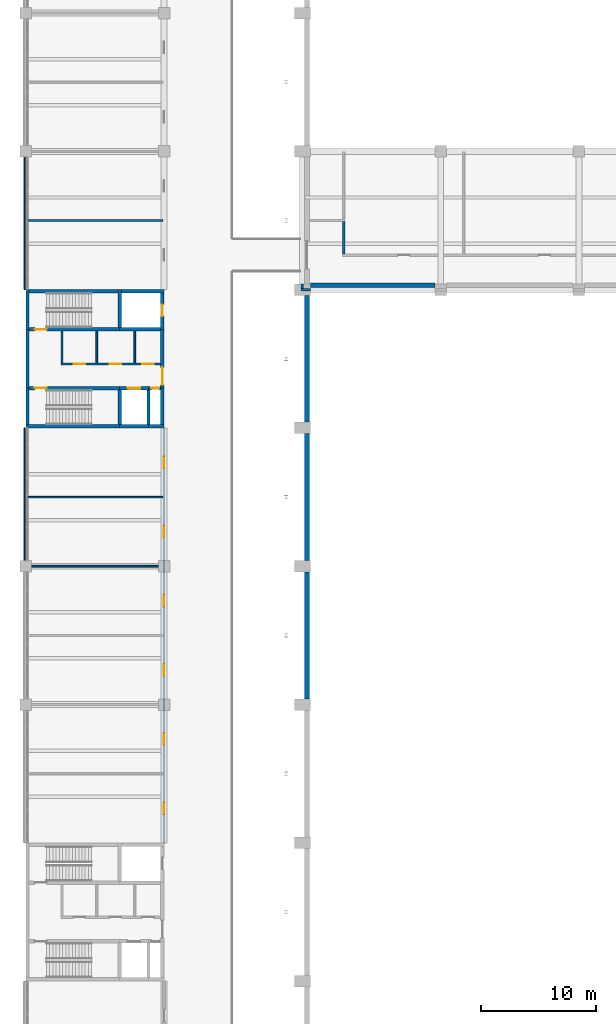
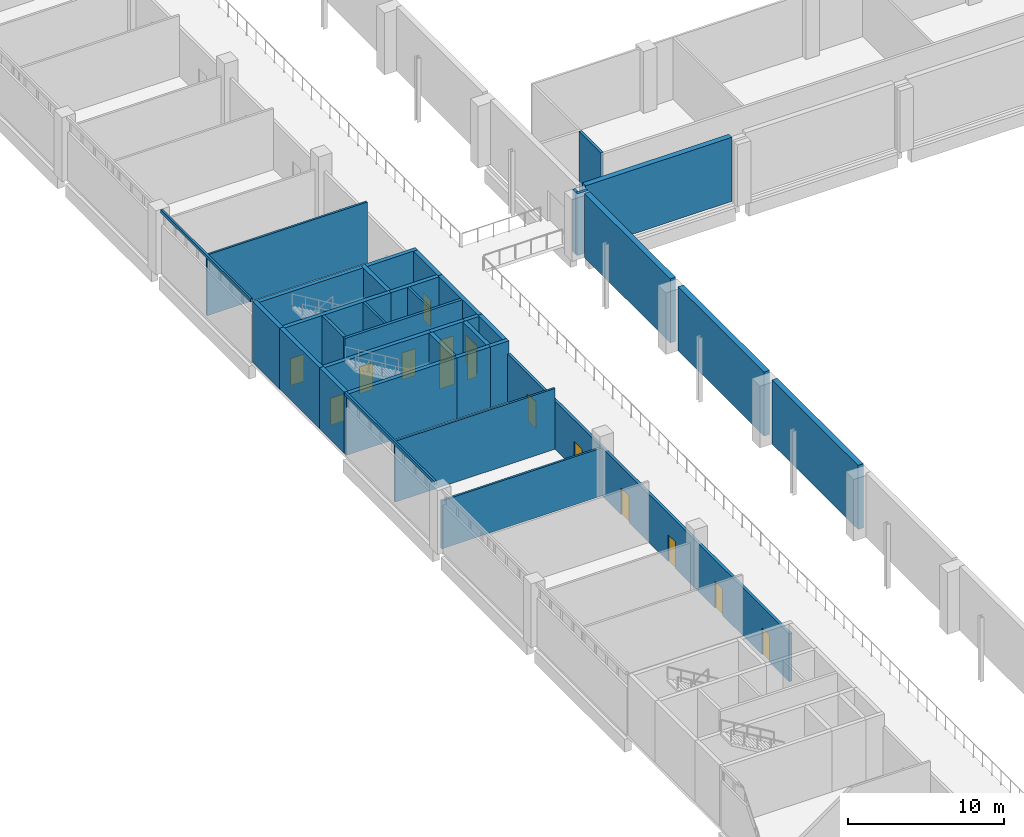
# One storey, part 53 of 69: 36 walls, 15 doors, 15 openings.
"""IFC4 building model written with IfcOpenShell, lengths in metres."""

from ifc_helpers import new_model, si_unit, direction, frame, frame_2d, origin, place, context, subcontext, project, spatial, rectangle, extrude, material, layer, layer_set, type_object, element, fill, save


model = new_model("IFC4")

# Units and contexts
model_context = context("Model", 3, precision=1e-05, world=origin(), true_north=direction((0.0, 1.0)))
body_context = subcontext(model_context, "Body", "Model", "MODEL_VIEW")
ifc_project = project(units=[si_unit("LENGTHUNIT", "METRE"), si_unit("AREAUNIT", "SQUARE_METRE"), si_unit("VOLUMEUNIT", "CUBIC_METRE"), si_unit("PLANEANGLEUNIT", "RADIAN"), si_unit("MASSUNIT", "GRAM", prefix="KILO")], contexts=[model_context])

# Site, building, storey
site_placement = place(None, origin())
site = spatial("IfcSite", under=ifc_project, at=site_placement, CompositionType="ELEMENT")
building_placement = place(site_placement, origin())
building = spatial("IfcBuilding", under=site, at=building_placement, Name="Lilac Gate Convention Centre", CompositionType="ELEMENT")
storey_placement = place(building_placement, frame((0.0, 0.0, 12.0)))
storey = spatial("IfcBuildingStorey", under=building, at=storey_placement, Name="L02", CompositionType="ELEMENT", Elevation=12.0)

# Walls
ifc_material_1 = material(Name="Concrete C30", Category="concrete")
ifc_layer_1 = layer(ifc_material_1, 0.39990234375)
ifc_layer_set_1 = layer_set([ifc_layer_1], Name="Concrete C30")
wall_type_1 = type_object("IfcWallType", Name="Hall fire wall 400", PredefinedType="SOLIDWALL", material=ifc_layer_set_1)
for number, where, z_axis, x_axis, name in (
    (1, (30.39990234375, 66.5, 0.0), (0.0, 0.0, 1.0), (0.0, 1.0, 0.0), "Fire wall galleria FW L02 4"),
    (2, (30.39990234375, 78.5, 0.0), (0.0, 0.0, 1.0), (0.0, 1.0, 0.0), "Fire wall galleria FW L02 5"),
    (3, (30.39990234375, 90.5, 0.0), (0.0, 0.0, 1.0), (0.0, 1.0, 0.0), "Fire wall galleria FW L02 6"),
):
    element("IfcWall", number, at=place(storey_placement, frame(where, z_axis=z_axis, x_axis=x_axis)), inside=storey, type_object=wall_type_1, Name=name, PredefinedType="SOLIDWALL", context=body_context, shape_type="SweptSolid", body=[
        extrude(rectangle(XDim=11.0, YDim=0.39990234375, at=frame_2d((5.5, 0.0))), origin(), (0.0, 0.0, 1.0), 5.0),
    ])
wall_1_placement = place(storey_placement, frame((30.699951171875, 102.39990234375, 0.0), z_axis=(0.0, 0.0, 1.0), x_axis=(1.0, 0.0, 0.0)))
element("IfcWall", 4, at=wall_1_placement, inside=storey, type_object=wall_type_1, Name="Fire wall exhibition hall HN L02 1", PredefinedType="SOLIDWALL", context=body_context, shape_type="SweptSolid", body=[
    extrude(rectangle(XDim=10.800048828125, YDim=0.39990234375, at=frame_2d((5.39990234375, 0.0))), origin(), (0.0, 0.0, 1.0), 5.0),
])
ifc_material_2 = material(Name="Fire-rated gypsum board on steel stud", Category="steel")
ifc_layer_2 = layer(ifc_material_2, 0.14990234375)
ifc_layer_set_2 = layer_set([ifc_layer_2], Name="Fire-rated gypsum board on steel stud")
wall_type_2 = type_object("IfcWallType", Name="Partition 150 fire-rated gypsum board EI 60", PredefinedType="PARTITIONING", material=ifc_layer_set_2)
wall_2_placement = place(storey_placement, frame((6.074951171875, 78.0, 0.0), z_axis=(0.0, 0.0, 1.0), x_axis=(1.0, 0.0, 0.0)))
element("IfcWall", 5, at=wall_2_placement, inside=storey, type_object=wall_type_2, Name="Partition 150 fire-rated gypsum board EI 60", PredefinedType="PARTITIONING", context=body_context, shape_type="SweptSolid", body=[
    extrude(rectangle(XDim=11.824951171875, YDim=0.14990234375, at=frame_2d((5.91259765625, 0.0))), origin(), (0.0, 0.0, 1.0), 3.75),
])
for number, where, z_axis, x_axis, name in (
    (6, (6.074951171875, 84.0, 0.0), (0.0, 0.0, 1.0), (1.0, 0.0, 0.0), "Partition 150 fire-rated gypsum board EI 60"),
    (7, (6.074951171875, 108.0, 0.0), (0.0, 0.0, 1.0), (1.0, 0.0, 0.0), "Partition 150 fire-rated gypsum board EI 60"),
):
    element("IfcWall", number, at=place(storey_placement, frame(where, z_axis=z_axis, x_axis=x_axis)), inside=storey, type_object=wall_type_2, Name=name, PredefinedType="PARTITIONING", context=body_context, shape_type="SweptSolid", body=[
        extrude(rectangle(XDim=11.824951171875, YDim=0.14990234375, at=frame_2d((5.91259765625, 0.0))), origin(), (0.0, 0.0, 1.0), 4.75),
    ])
for number, where, z_axis, x_axis, name in (
    (8, (12.14990234375, 95.64990234375, 0.0), (0.0, 0.0, 1.0), (0.0, 1.0, 0.0), "Partition 150 fire-rated gypsum board EI 60"),
    (9, (15.449951171875, 95.64990234375, 0.0), (0.0, 0.0, 1.0), (0.0, 1.0, 0.0), "Partition 150 fire-rated gypsum board EI 60"),
):
    element("IfcWall", number, at=place(storey_placement, frame(where, z_axis=z_axis, x_axis=x_axis)), inside=storey, type_object=wall_type_2, Name=name, PredefinedType="PARTITIONING", context=body_context, shape_type="SweptSolid", body=[
        extrude(rectangle(XDim=2.75, YDim=0.14990234375, at=frame_2d((1.375, 0.0))), origin(), (0.0, 0.0, 1.0), 4.75),
    ])

# Wall, openings, doors
ifc_material_3 = material(Name="Clay brick masonry", Category="masonry")
ifc_layer_3 = layer(ifc_material_3, 0.199951171875)
ifc_layer_set_3 = layer_set([ifc_layer_3], Name="Clay brick masonry")
wall_type_3 = type_object("IfcWallType", Name="Partition 200 brick EI 60", PredefinedType="PARTITIONING", material=ifc_layer_set_3)
wall_3_placement = place(storey_placement, frame((9.050048828125, 95.550048828125, 0.0), z_axis=(0.0, 0.0, 1.0), x_axis=(1.0, 0.0, 0.0)))
wall_3 = element("IfcWall", 10, at=wall_3_placement, inside=storey, type_object=wall_type_3, Name="Partition 200 brick EI 60", PredefinedType="PARTITIONING", context=body_context, shape_type="SweptSolid", body=[
    extrude(rectangle(XDim=8.64990234375, YDim=0.199951171875, at=frame_2d((4.324951171875, 0.0))), origin(), (0.0, 0.0, 1.0), 4.75),
])
opening_1_placement = place(wall_3_placement, frame((1.10009765625, 0.0, 0.0)))
opening_1 = element("IfcOpeningElement", 11, at=opening_1_placement, cuts=wall_3, Name="Opening L02-020", PredefinedType="OPENING", context=body_context, shape_type="SweptSolid", body=[
    extrude(rectangle(XDim=1.0, YDim=2.10009765625, at=frame_2d((0.5, 1.050048828125))), frame((0.0, 0.10986328125, 0.0), z_axis=(0.0, -1.0, 0.0), x_axis=(1.0, 0.0, 0.0)), (0.0, 0.0, 1.0), 0.219970703125),
])
opening_2_placement = place(wall_3_placement, frame((4.25, 0.0, 0.0)))
opening_2 = element("IfcOpeningElement", 12, at=opening_2_placement, cuts=wall_3, Name="Opening L02-021", PredefinedType="OPENING", context=body_context, shape_type="SweptSolid", body=[
    extrude(rectangle(XDim=1.0, YDim=2.10009765625, at=frame_2d((0.5, 1.050048828125))), frame((0.0, 0.10986328125, 0.0), z_axis=(0.0, -1.0, 0.0), x_axis=(1.0, 0.0, 0.0)), (0.0, 0.0, 1.0), 0.219970703125),
])
opening_3_placement = place(wall_3_placement, frame((7.050048828125, 0.0, 0.0)))
opening_3 = element("IfcOpeningElement", 13, at=opening_3_placement, cuts=wall_3, Name="Opening L02-022", PredefinedType="OPENING", context=body_context, shape_type="SweptSolid", body=[
    extrude(rectangle(XDim=1.0, YDim=2.10009765625, at=frame_2d((0.5, 1.050048828125))), frame((0.0, 0.10986328125, 0.0), z_axis=(0.0, -1.0, 0.0), x_axis=(1.0, 0.0, 0.0)), (0.0, 0.0, 1.0), 0.219970703125),
])
ifc_material_4 = material(Name="Timber fire door leaf", Category="wood")
door_type_1 = type_object("IfcDoorType", Name="Door 1000 x 2100 single leaf FD30", OperationType="SINGLE_SWING_LEFT", PredefinedType="DOOR", material=ifc_material_4)
door_1_placement = place(opening_1_placement, origin())
door_1 = element("IfcDoor", 14, at=door_1_placement, inside=storey, type_object=door_type_1, Name="WC door L02-020", OperationType="SINGLE_SWING_RIGHT", OverallHeight=2.10009765625, OverallWidth=1.0, PredefinedType="DOOR", context=body_context, shape_type="SweptSolid", body=[
    extrude(rectangle(XDim=1.0, YDim=2.10009765625, at=frame_2d((0.5, 1.050048828125))), frame((0.0, 0.02490234375, 0.0), z_axis=(0.0, -1.0, 0.0), x_axis=(1.0, 0.0, 0.0)), (0.0, 0.0, 1.0), 0.050048828125),
])
fill(opening_1, door_1)
door_2_placement = place(opening_2_placement, origin())
door_2 = element("IfcDoor", 15, at=door_2_placement, inside=storey, type_object=door_type_1, Name="WC door L02-021", OperationType="SINGLE_SWING_LEFT", OverallHeight=2.10009765625, OverallWidth=1.0, PredefinedType="DOOR", context=body_context, shape_type="SweptSolid", body=[
    extrude(rectangle(XDim=1.0, YDim=2.10009765625, at=frame_2d((0.5, 1.050048828125))), frame((0.0, 0.02490234375, 0.0), z_axis=(0.0, -1.0, 0.0), x_axis=(1.0, 0.0, 0.0)), (0.0, 0.0, 1.0), 0.050048828125),
])
fill(opening_2, door_2)
door_3_placement = place(opening_3_placement, origin())
door_3 = element("IfcDoor", 16, at=door_3_placement, inside=storey, type_object=door_type_1, Name="Accessible WC door L02-022", OperationType="SINGLE_SWING_LEFT", OverallHeight=2.10009765625, OverallWidth=1.0, PredefinedType="DOOR", context=body_context, shape_type="SweptSolid", body=[
    extrude(rectangle(XDim=1.0, YDim=2.10009765625, at=frame_2d((0.5, 1.050048828125))), frame((0.0, 0.02490234375, 0.0), z_axis=(0.0, -1.0, 0.0), x_axis=(1.0, 0.0, 0.0)), (0.0, 0.0, 1.0), 0.050048828125),
])
fill(opening_3, door_3)

# Walls
wall_4_placement = place(storey_placement, frame((29.89990234375, 102.0, 0.0), z_axis=(0.0, 0.0, 1.0), x_axis=(1.0, 0.0, 0.0)))
element("IfcWall", 17, at=wall_4_placement, inside=storey, type_object=wall_type_3, Name="Partition 200 brick EI 60", PredefinedType="PARTITIONING", context=body_context, shape_type="SweptSolid", body=[
    extrude(rectangle(XDim=0.800048828125, YDim=0.199951171875, at=frame_2d((0.39990234375, 0.0))), origin(), (0.0, 0.0, 1.0), 4.824951171875),
])
wall_5_placement = place(storey_placement, frame((9.14990234375, 95.64990234375, 0.0), z_axis=(0.0, 0.0, 1.0), x_axis=(0.0, 1.0, 0.0)))
element("IfcWall", 18, at=wall_5_placement, inside=storey, type_object=wall_type_3, Name="Partition 200 brick EI 60", PredefinedType="PARTITIONING", context=body_context, shape_type="SweptSolid", body=[
    extrude(rectangle(XDim=2.75, YDim=0.199951171875, at=frame_2d((1.375, 0.0))), origin(), (0.0, 0.0, 1.0), 4.75),
])

# Wall, openings, doors
wall_6_placement = place(storey_placement, frame((18.0, 54.0, 0.0), z_axis=(0.0, 0.0, 1.0), x_axis=(0.0, 1.0, 0.0)))
wall_6 = element("IfcWall", 19, at=wall_6_placement, inside=storey, type_object=wall_type_3, Name="Partition 200 brick EI 60", PredefinedType="PARTITIONING", context=body_context, shape_type="SweptSolid", body=[
    extrude(rectangle(XDim=36.0, YDim=0.199951171875, at=frame_2d((18.0, 0.0))), origin(), (0.0, 0.0, 1.0), 3.75),
])
opening_4_placement = place(wall_6_placement, frame((2.5, 0.0, 0.0)))
opening_4 = element("IfcOpeningElement", 20, at=opening_4_placement, cuts=wall_6, Name="Opening L02-011", PredefinedType="OPENING", context=body_context, shape_type="SweptSolid", body=[
    extrude(rectangle(XDim=1.0, YDim=2.10009765625, at=frame_2d((0.5, 1.050048828125))), frame((0.0, 0.10986328125, 0.0), z_axis=(0.0, -1.0, 0.0), x_axis=(1.0, 0.0, 0.0)), (0.0, 0.0, 1.0), 0.219970703125),
])
opening_5_placement = place(wall_6_placement, frame((8.5, 0.0, 0.0)))
opening_5 = element("IfcOpeningElement", 21, at=opening_5_placement, cuts=wall_6, Name="Opening L02-012", PredefinedType="OPENING", context=body_context, shape_type="SweptSolid", body=[
    extrude(rectangle(XDim=1.0, YDim=2.10009765625, at=frame_2d((0.5, 1.050048828125))), frame((0.0, 0.10986328125, 0.0), z_axis=(0.0, -1.0, 0.0), x_axis=(1.0, 0.0, 0.0)), (0.0, 0.0, 1.0), 0.219970703125),
])
opening_6_placement = place(wall_6_placement, frame((14.5, 0.0, 0.0)))
opening_6 = element("IfcOpeningElement", 22, at=opening_6_placement, cuts=wall_6, Name="Opening L02-013", PredefinedType="OPENING", context=body_context, shape_type="SweptSolid", body=[
    extrude(rectangle(XDim=1.0, YDim=2.10009765625, at=frame_2d((0.5, 1.050048828125))), frame((0.0, 0.10986328125, 0.0), z_axis=(0.0, -1.0, 0.0), x_axis=(1.0, 0.0, 0.0)), (0.0, 0.0, 1.0), 0.219970703125),
])
opening_7_placement = place(wall_6_placement, frame((20.5, 0.0, 0.0)))
opening_7 = element("IfcOpeningElement", 23, at=opening_7_placement, cuts=wall_6, Name="Opening L02-014", PredefinedType="OPENING", context=body_context, shape_type="SweptSolid", body=[
    extrude(rectangle(XDim=1.0, YDim=2.10009765625, at=frame_2d((0.5, 1.050048828125))), frame((0.0, 0.10986328125, 0.0), z_axis=(0.0, -1.0, 0.0), x_axis=(1.0, 0.0, 0.0)), (0.0, 0.0, 1.0), 0.219970703125),
])
opening_8_placement = place(wall_6_placement, frame((26.5, 0.0, 0.0)))
opening_8 = element("IfcOpeningElement", 24, at=opening_8_placement, cuts=wall_6, Name="Opening L02-015", PredefinedType="OPENING", context=body_context, shape_type="SweptSolid", body=[
    extrude(rectangle(XDim=1.0, YDim=2.10009765625, at=frame_2d((0.5, 1.050048828125))), frame((0.0, 0.10986328125, 0.0), z_axis=(0.0, -1.0, 0.0), x_axis=(1.0, 0.0, 0.0)), (0.0, 0.0, 1.0), 0.219970703125),
])
opening_9_placement = place(wall_6_placement, frame((32.5, 0.0, 0.0)))
opening_9 = element("IfcOpeningElement", 25, at=opening_9_placement, cuts=wall_6, Name="Opening L02-016", PredefinedType="OPENING", context=body_context, shape_type="SweptSolid", body=[
    extrude(rectangle(XDim=1.0, YDim=2.10009765625, at=frame_2d((0.5, 1.050048828125))), frame((0.0, 0.10986328125, 0.0), z_axis=(0.0, -1.0, 0.0), x_axis=(1.0, 0.0, 0.0)), (0.0, 0.0, 1.0), 0.219970703125),
])
door_4_placement = place(opening_4_placement, origin())
door_4 = element("IfcDoor", 26, at=door_4_placement, inside=storey, type_object=door_type_1, Name="Meeting room door L02-011", OperationType="SINGLE_SWING_RIGHT", OverallHeight=2.10009765625, OverallWidth=1.0, PredefinedType="DOOR", context=body_context, shape_type="SweptSolid", body=[
    extrude(rectangle(XDim=1.0, YDim=2.10009765625, at=frame_2d((0.5, 1.050048828125))), frame((0.0, 0.02490234375, 0.0), z_axis=(0.0, -1.0, 0.0), x_axis=(1.0, 0.0, 0.0)), (0.0, 0.0, 1.0), 0.050048828125),
])
fill(opening_4, door_4)
door_5_placement = place(opening_5_placement, origin())
door_5 = element("IfcDoor", 27, at=door_5_placement, inside=storey, type_object=door_type_1, Name="Meeting room door L02-012", OperationType="SINGLE_SWING_RIGHT", OverallHeight=2.10009765625, OverallWidth=1.0, PredefinedType="DOOR", context=body_context, shape_type="SweptSolid", body=[
    extrude(rectangle(XDim=1.0, YDim=2.10009765625, at=frame_2d((0.5, 1.050048828125))), frame((0.0, 0.02490234375, 0.0), z_axis=(0.0, -1.0, 0.0), x_axis=(1.0, 0.0, 0.0)), (0.0, 0.0, 1.0), 0.050048828125),
])
fill(opening_5, door_5)
door_6_placement = place(opening_6_placement, origin())
door_6 = element("IfcDoor", 28, at=door_6_placement, inside=storey, type_object=door_type_1, Name="Meeting room door L02-013", OperationType="SINGLE_SWING_RIGHT", OverallHeight=2.10009765625, OverallWidth=1.0, PredefinedType="DOOR", context=body_context, shape_type="SweptSolid", body=[
    extrude(rectangle(XDim=1.0, YDim=2.10009765625, at=frame_2d((0.5, 1.050048828125))), frame((0.0, 0.02490234375, 0.0), z_axis=(0.0, -1.0, 0.0), x_axis=(1.0, 0.0, 0.0)), (0.0, 0.0, 1.0), 0.050048828125),
])
fill(opening_6, door_6)
door_7_placement = place(opening_7_placement, origin())
door_7 = element("IfcDoor", 29, at=door_7_placement, inside=storey, type_object=door_type_1, Name="Meeting room door L02-014", OperationType="SINGLE_SWING_RIGHT", OverallHeight=2.10009765625, OverallWidth=1.0, PredefinedType="DOOR", context=body_context, shape_type="SweptSolid", body=[
    extrude(rectangle(XDim=1.0, YDim=2.10009765625, at=frame_2d((0.5, 1.050048828125))), frame((0.0, 0.02490234375, 0.0), z_axis=(0.0, -1.0, 0.0), x_axis=(1.0, 0.0, 0.0)), (0.0, 0.0, 1.0), 0.050048828125),
])
fill(opening_7, door_7)
door_8_placement = place(opening_8_placement, origin())
door_8 = element("IfcDoor", 30, at=door_8_placement, inside=storey, type_object=door_type_1, Name="Meeting room door L02-015", OperationType="SINGLE_SWING_RIGHT", OverallHeight=2.10009765625, OverallWidth=1.0, PredefinedType="DOOR", context=body_context, shape_type="SweptSolid", body=[
    extrude(rectangle(XDim=1.0, YDim=2.10009765625, at=frame_2d((0.5, 1.050048828125))), frame((0.0, 0.02490234375, 0.0), z_axis=(0.0, -1.0, 0.0), x_axis=(1.0, 0.0, 0.0)), (0.0, 0.0, 1.0), 0.050048828125),
])
fill(opening_8, door_8)
door_9_placement = place(opening_9_placement, origin())
door_9 = element("IfcDoor", 31, at=door_9_placement, inside=storey, type_object=door_type_1, Name="Meeting room door L02-016", OperationType="SINGLE_SWING_RIGHT", OverallHeight=2.10009765625, OverallWidth=1.0, PredefinedType="DOOR", context=body_context, shape_type="SweptSolid", body=[
    extrude(rectangle(XDim=1.0, YDim=2.10009765625, at=frame_2d((0.5, 1.050048828125))), frame((0.0, 0.02490234375, 0.0), z_axis=(0.0, -1.0, 0.0), x_axis=(1.0, 0.0, 0.0)), (0.0, 0.0, 1.0), 0.050048828125),
])
fill(opening_9, door_9)

# Walls
wall_7_placement = place(storey_placement, frame((30.0, 102.10009765625, 0.0), z_axis=(0.0, 0.0, 1.0), x_axis=(0.0, 1.0, 0.0)))
element("IfcWall", 32, at=wall_7_placement, inside=storey, type_object=wall_type_3, Name="Partition 200 brick EI 60", PredefinedType="PARTITIONING", context=body_context, shape_type="SweptSolid", body=[
    extrude(rectangle(XDim=0.39990234375, YDim=0.199951171875, at=frame_2d((0.199951171875, 0.0))), origin(), (0.0, 0.0, 1.0), 4.824951171875),
])
wall_8_placement = place(storey_placement, frame((33.60009765625, 105.10009765625, 0.0), z_axis=(0.0, 0.0, 1.0), x_axis=(0.0, 1.0, 0.0)))
element("IfcWall", 33, at=wall_8_placement, inside=storey, type_object=wall_type_3, Name="Partition 200 brick EI 60", PredefinedType="PARTITIONING", context=body_context, shape_type="SweptSolid", body=[
    extrude(rectangle(XDim=2.7998046875, YDim=0.199951171875, at=frame_2d((1.39990234375, 0.0))), origin(), (0.0, 0.0, 1.0), 4.824951171875),
])
ifc_material_5 = material(Name="Concrete C40 precast", Category="concrete")
ifc_layer_4 = layer(ifc_material_5, 0.1298828125)
ifc_material_6 = material(Name="Terracotta glazed cladding", Category="masonry")
ifc_layer_5 = layer(ifc_material_6, 0.02001953125)
ifc_layer_set_4 = layer_set([ifc_layer_4, ifc_layer_5], Name="Concrete C40 precast, Terracotta glazed cladding")
wall_type_4 = type_object("IfcWallType", Name="Precast band terracotta 150", PredefinedType="STANDARD", material=ifc_layer_set_4)
for number, where, z_axis, x_axis, name in (
    (34, (5.925048828125, 113.5, 4.75), (0.0, 0.0, 1.0), (0.0, -1.0, 0.0), "Precast band PW L02 8"),
    (35, (5.925048828125, 90.0, 4.75), (0.0, 0.0, 1.0), (0.0, -1.0, 0.0), "Precast band PW L02 9"),
):
    element("IfcWall", number, at=place(storey_placement, frame(where, z_axis=z_axis, x_axis=x_axis)), inside=storey, type_object=wall_type_4, Name=name, PredefinedType="STANDARD", context=body_context, shape_type="SweptSolid", body=[
        extrude(rectangle(XDim=11.5, YDim=0.14990234375, at=frame_2d((5.75, 0.0))), origin(), (0.0, 0.0, 1.0), 0.25),
    ])
ifc_material_7 = material(Name="Concrete C40", Category="concrete")
ifc_layer_6 = layer(ifc_material_7, 0.300048828125)
ifc_layer_set_5 = layer_set([ifc_layer_6], Name="Concrete C40")
wall_type_5 = type_object("IfcWallType", Name="Shear wall 300 C40", PredefinedType="SHEAR", material=ifc_layer_set_5)
wall_9_placement = place(storey_placement, frame((6.0, 90.14990234375, 0.0), z_axis=(0.0, 0.0, 1.0), x_axis=(1.0, 0.0, 0.0)))
element("IfcWall", 36, at=wall_9_placement, inside=storey, type_object=wall_type_5, Name="SW1 shear wall W2 L02 1", PredefinedType="SHEAR", context=body_context, shape_type="SweptSolid", body=[
    extrude(rectangle(XDim=8.14990234375, YDim=0.300048828125, at=frame_2d((4.074951171875, 0.0))), origin(), (0.0, 0.0, 1.0), 4.75),
])
wall_10_placement = place(storey_placement, frame((14.14990234375, 90.14990234375, 0.0), z_axis=(0.0, 0.0, 1.0), x_axis=(1.0, 0.0, 0.0)))
element("IfcWall", 37, at=wall_10_placement, inside=storey, type_object=wall_type_5, Name="SW1 shear wall W2 L02 2", PredefinedType="SHEAR", context=body_context, shape_type="SweptSolid", body=[
    extrude(rectangle(XDim=2.5, YDim=0.300048828125, at=frame_2d((1.25, 0.0))), origin(), (0.0, 0.0, 1.0), 4.75),
])
wall_11_placement = place(storey_placement, frame((16.64990234375, 90.14990234375, 0.0), z_axis=(0.0, 0.0, 1.0), x_axis=(1.0, 0.0, 0.0)))
element("IfcWall", 38, at=wall_11_placement, inside=storey, type_object=wall_type_5, Name="SW1 shear wall W2 L02 3", PredefinedType="SHEAR", context=body_context, shape_type="SweptSolid", body=[
    extrude(rectangle(XDim=1.35009765625, YDim=0.300048828125, at=frame_2d((0.675048828125, 0.0))), origin(), (0.0, 0.0, 1.0), 4.75),
])
wall_12_placement = place(storey_placement, frame((6.0, 101.85009765625, 0.0), z_axis=(0.0, 0.0, 1.0), x_axis=(1.0, 0.0, 0.0)))
element("IfcWall", 39, at=wall_12_placement, inside=storey, type_object=wall_type_5, Name="SW1 shear wall W2 L02 4", PredefinedType="SHEAR", context=body_context, shape_type="SweptSolid", body=[
    extrude(rectangle(XDim=8.14990234375, YDim=0.300048828125, at=frame_2d((4.074951171875, 0.0))), origin(), (0.0, 0.0, 1.0), 4.75),
])
wall_13_placement = place(storey_placement, frame((14.14990234375, 101.85009765625, 0.0), z_axis=(0.0, 0.0, 1.0), x_axis=(1.0, 0.0, 0.0)))
element("IfcWall", 40, at=wall_13_placement, inside=storey, type_object=wall_type_5, Name="SW1 shear wall W2 L02 5", PredefinedType="SHEAR", context=body_context, shape_type="SweptSolid", body=[
    extrude(rectangle(XDim=3.85009765625, YDim=0.300048828125, at=frame_2d((1.925048828125, 0.0))), origin(), (0.0, 0.0, 1.0), 4.75),
])

# Wall, opening, door
wall_14_placement = place(storey_placement, frame((6.300048828125, 93.449951171875, 0.0), z_axis=(0.0, 0.0, 1.0), x_axis=(1.0, 0.0, 0.0)))
wall_14 = element("IfcWall", 41, at=wall_14_placement, inside=storey, type_object=wall_type_5, Name="SW1 shear wall W2 L02 6", PredefinedType="SHEAR", context=body_context, shape_type="SweptSolid", body=[
    extrude(rectangle(XDim=7.849853515625, YDim=0.300048828125, at=frame_2d((3.9248046875, 0.0))), origin(), (0.0, 0.0, 1.0), 4.75),
])
opening_10_placement = place(wall_14_placement, frame((0.5, 0.0, 0.0)))
opening_10 = element("IfcOpeningElement", 42, at=opening_10_placement, cuts=wall_14, Name="Opening L02-017", PredefinedType="OPENING", context=body_context, shape_type="SweptSolid", body=[
    extrude(rectangle(XDim=1.0, YDim=2.10009765625, at=frame_2d((0.5, 1.050048828125))), frame((0.0, 0.159912109375, 0.0), z_axis=(0.0, -1.0, 0.0), x_axis=(1.0, 0.0, 0.0)), (0.0, 0.0, 1.0), 0.320068359375),
])
door_type_2 = type_object("IfcDoorType", Name="Door 1000 x 2100 single leaf FD60", OperationType="SINGLE_SWING_LEFT", PredefinedType="DOOR", material=ifc_material_4)
door_10_placement = place(opening_10_placement, frame((1.0, 0.0, 0.0), z_axis=(0.0, 0.0, 1.0), x_axis=(-1.0, 0.0, 0.0)))
door_10 = element("IfcDoor", 43, at=door_10_placement, inside=storey, type_object=door_type_2, Name="Stair door L02-017", OperationType="SINGLE_SWING_LEFT", OverallHeight=2.10009765625, OverallWidth=1.0, PredefinedType="DOOR", context=body_context, shape_type="SweptSolid", body=[
    extrude(rectangle(XDim=1.0, YDim=2.10009765625, at=frame_2d((0.5, 1.050048828125))), frame((0.0, 0.02490234375, 0.0), z_axis=(0.0, -1.0, 0.0), x_axis=(1.0, 0.0, 0.0)), (0.0, 0.0, 1.0), 0.050048828125),
])
fill(opening_10, door_10)

wall_15_placement = place(storey_placement, frame((14.14990234375, 93.449951171875, 0.0), z_axis=(0.0, 0.0, 1.0), x_axis=(1.0, 0.0, 0.0)))
wall_15 = element("IfcWall", 44, at=wall_15_placement, inside=storey, type_object=wall_type_5, Name="SW1 shear wall W2 L02 7", PredefinedType="SHEAR", context=body_context, shape_type="SweptSolid", body=[
    extrude(rectangle(XDim=2.5, YDim=0.300048828125, at=frame_2d((1.25, 0.0))), origin(), (0.0, 0.0, 1.0), 4.75),
])
opening_11_placement = place(wall_15_placement, frame((0.699951171875, 0.0, 0.0)))
opening_11 = element("IfcOpeningElement", 45, at=opening_11_placement, cuts=wall_15, Name="Opening LDW2-02", PredefinedType="OPENING", context=body_context, shape_type="SweptSolid", body=[
    extrude(rectangle(XDim=1.10009765625, YDim=2.10009765625, at=frame_2d((0.550048828125, 1.050048828125))), frame((0.0, 0.159912109375, 0.0), z_axis=(0.0, -1.0, 0.0), x_axis=(1.0, 0.0, 0.0)), (0.0, 0.0, 1.0), 0.320068359375),
])
ifc_material_8 = material(Name="Stainless steel 304", Category="steel")
door_type_3 = type_object("IfcDoorType", Name="Lift landing door 1100 x 2100", OperationType="SLIDING_TO_LEFT", PredefinedType="DOOR", material=ifc_material_8)
door_11_placement = place(opening_11_placement, origin())
door_11 = element("IfcDoor", 46, at=door_11_placement, inside=storey, type_object=door_type_3, Name="Lift landing door LDW2-02", OperationType="SLIDING_TO_LEFT", OverallHeight=2.10009765625, OverallWidth=1.10009765625, PredefinedType="DOOR", context=body_context, shape_type="SweptSolid", body=[
    extrude(rectangle(XDim=1.10009765625, YDim=2.10009765625, at=frame_2d((0.550048828125, 1.050048828125))), frame((0.0, 0.02490234375, 0.0), z_axis=(0.0, -1.0, 0.0), x_axis=(1.0, 0.0, 0.0)), (0.0, 0.0, 1.0), 0.050048828125),
])
fill(opening_11, door_11)

wall_16_placement = place(storey_placement, frame((16.64990234375, 93.449951171875, 0.0), z_axis=(0.0, 0.0, 1.0), x_axis=(1.0, 0.0, 0.0)))
wall_16 = element("IfcWall", 47, at=wall_16_placement, inside=storey, type_object=wall_type_5, Name="SW1 shear wall W2 L02 8", PredefinedType="SHEAR", context=body_context, shape_type="SweptSolid", body=[
    extrude(rectangle(XDim=1.050048828125, YDim=0.300048828125, at=frame_2d((0.52490234375, 0.0))), origin(), (0.0, 0.0, 1.0), 4.75),
])
opening_12_placement = place(wall_16_placement, frame((0.25, 0.0, 0.0)))
opening_12 = element("IfcOpeningElement", 48, at=opening_12_placement, cuts=wall_16, Name="Opening L02-018", PredefinedType="OPENING", context=body_context, shape_type="SweptSolid", body=[
    extrude(rectangle(XDim=0.699951171875, YDim=2.10009765625, at=frame_2d((0.35009765625, 1.050048828125))), frame((0.0, 0.159912109375, 0.0), z_axis=(0.0, -1.0, 0.0), x_axis=(1.0, 0.0, 0.0)), (0.0, 0.0, 1.0), 0.320068359375),
])
door_type_4 = type_object("IfcDoorType", Name="Door 700 x 2100 single leaf FD30", OperationType="SINGLE_SWING_LEFT", PredefinedType="DOOR", material=ifc_material_4)
door_12_placement = place(opening_12_placement, frame((0.699951171875, 0.0, 0.0), z_axis=(0.0, 0.0, 1.0), x_axis=(-1.0, 0.0, 0.0)))
door_12 = element("IfcDoor", 49, at=door_12_placement, inside=storey, type_object=door_type_4, Name="Riser access door L02-018", OperationType="SINGLE_SWING_LEFT", OverallHeight=2.10009765625, OverallWidth=0.699951171875, PredefinedType="DOOR", context=body_context, shape_type="SweptSolid", body=[
    extrude(rectangle(XDim=0.699951171875, YDim=2.10009765625, at=frame_2d((0.35009765625, 1.050048828125))), frame((0.0, 0.02490234375, 0.0), z_axis=(0.0, -1.0, 0.0), x_axis=(1.0, 0.0, 0.0)), (0.0, 0.0, 1.0), 0.050048828125),
])
fill(opening_12, door_12)

wall_17_placement = place(storey_placement, frame((6.300048828125, 98.550048828125, 0.0), z_axis=(0.0, 0.0, 1.0), x_axis=(1.0, 0.0, 0.0)))
wall_17 = element("IfcWall", 50, at=wall_17_placement, inside=storey, type_object=wall_type_5, Name="SW1 shear wall W2 L02 9", PredefinedType="SHEAR", context=body_context, shape_type="SweptSolid", body=[
    extrude(rectangle(XDim=7.849853515625, YDim=0.300048828125, at=frame_2d((3.9248046875, 0.0))), origin(), (0.0, 0.0, 1.0), 4.75),
])
opening_13_placement = place(wall_17_placement, frame((0.5, 0.0, 0.0)))
opening_13 = element("IfcOpeningElement", 51, at=opening_13_placement, cuts=wall_17, Name="Opening L02-023", PredefinedType="OPENING", context=body_context, shape_type="SweptSolid", body=[
    extrude(rectangle(XDim=1.0, YDim=2.10009765625, at=frame_2d((0.5, 1.050048828125))), frame((0.0, 0.159912109375, 0.0), z_axis=(0.0, -1.0, 0.0), x_axis=(1.0, 0.0, 0.0)), (0.0, 0.0, 1.0), 0.320068359375),
])
door_13_placement = place(opening_13_placement, origin())
door_13 = element("IfcDoor", 52, at=door_13_placement, inside=storey, type_object=door_type_2, Name="Stair door L02-023", OperationType="SINGLE_SWING_RIGHT", OverallHeight=2.10009765625, OverallWidth=1.0, PredefinedType="DOOR", context=body_context, shape_type="SweptSolid", body=[
    extrude(rectangle(XDim=1.0, YDim=2.10009765625, at=frame_2d((0.5, 1.050048828125))), frame((0.0, 0.02490234375, 0.0), z_axis=(0.0, -1.0, 0.0), x_axis=(1.0, 0.0, 0.0)), (0.0, 0.0, 1.0), 0.050048828125),
])
fill(opening_13, door_13)

# Walls
wall_18_placement = place(storey_placement, frame((14.14990234375, 98.550048828125, 0.0), z_axis=(0.0, 0.0, 1.0), x_axis=(1.0, 0.0, 0.0)))
element("IfcWall", 53, at=wall_18_placement, inside=storey, type_object=wall_type_5, Name="SW1 shear wall W2 L02 10", PredefinedType="SHEAR", context=body_context, shape_type="SweptSolid", body=[
    extrude(rectangle(XDim=3.550048828125, YDim=0.300048828125, at=frame_2d((1.77490234375, 0.0))), origin(), (0.0, 0.0, 1.0), 4.75),
])
wall_19_placement = place(storey_placement, frame((6.14990234375, 90.300048828125, 0.0), z_axis=(0.0, 0.0, 1.0), x_axis=(0.0, 1.0, 0.0)))
element("IfcWall", 54, at=wall_19_placement, inside=storey, type_object=wall_type_5, Name="SW1 shear wall W2 L02 11", PredefinedType="SHEAR", context=body_context, shape_type="SweptSolid", body=[
    extrude(rectangle(XDim=3.14990234375, YDim=0.300048828125, at=frame_2d((1.574951171875, 0.0))), origin(), (0.0, 0.0, 1.0), 4.75),
])
wall_20_placement = place(storey_placement, frame((6.14990234375, 93.449951171875, 0.0), z_axis=(0.0, 0.0, 1.0), x_axis=(0.0, 1.0, 0.0)))
element("IfcWall", 55, at=wall_20_placement, inside=storey, type_object=wall_type_5, Name="SW1 shear wall W2 L02 12", PredefinedType="SHEAR", context=body_context, shape_type="SweptSolid", body=[
    extrude(rectangle(XDim=5.10009765625, YDim=0.300048828125, at=frame_2d((2.550048828125, 0.0))), origin(), (0.0, 0.0, 1.0), 4.75),
])
wall_21_placement = place(storey_placement, frame((6.14990234375, 98.550048828125, 0.0), z_axis=(0.0, 0.0, 1.0), x_axis=(0.0, 1.0, 0.0)))
element("IfcWall", 56, at=wall_21_placement, inside=storey, type_object=wall_type_5, Name="SW1 shear wall W2 L02 13", PredefinedType="SHEAR", context=body_context, shape_type="SweptSolid", body=[
    extrude(rectangle(XDim=3.449951171875, YDim=0.300048828125, at=frame_2d((1.72509765625, 0.0))), origin(), (0.0, 0.0, 1.0), 4.75),
])
wall_22_placement = place(storey_placement, frame((17.85009765625, 90.300048828125, 0.0), z_axis=(0.0, 0.0, 1.0), x_axis=(0.0, 1.0, 0.0)))
element("IfcWall", 57, at=wall_22_placement, inside=storey, type_object=wall_type_5, Name="SW1 shear wall W2 L02 14", PredefinedType="SHEAR", context=body_context, shape_type="SweptSolid", body=[
    extrude(rectangle(XDim=3.14990234375, YDim=0.300048828125, at=frame_2d((1.574951171875, 0.0))), origin(), (0.0, 0.0, 1.0), 4.75),
])

# Wall, opening, door
wall_23_placement = place(storey_placement, frame((17.85009765625, 93.449951171875, 0.0), z_axis=(0.0, 0.0, 1.0), x_axis=(0.0, 1.0, 0.0)))
wall_23 = element("IfcWall", 58, at=wall_23_placement, inside=storey, type_object=wall_type_5, Name="SW1 shear wall W2 L02 15", PredefinedType="SHEAR", context=body_context, shape_type="SweptSolid", body=[
    extrude(rectangle(XDim=5.10009765625, YDim=0.300048828125, at=frame_2d((2.550048828125, 0.0))), origin(), (0.0, 0.0, 1.0), 4.75),
])
opening_14_placement = place(wall_23_placement, frame((0.300048828125, 0.0, 0.0)))
opening_14 = element("IfcOpeningElement", 59, at=opening_14_placement, cuts=wall_23, Name="Opening L02-019", PredefinedType="OPENING", context=body_context, shape_type="SweptSolid", body=[
    extrude(rectangle(XDim=1.5, YDim=2.10009765625, at=frame_2d((0.75, 1.050048828125))), frame((0.0, 0.159912109375, 0.0), z_axis=(0.0, -1.0, 0.0), x_axis=(1.0, 0.0, 0.0)), (0.0, 0.0, 1.0), 0.320068359375),
])
door_type_5 = type_object("IfcDoorType", Name="Door 1500 x 2100 double leaf FD30", OperationType="DOUBLE_DOOR_SINGLE_SWING", PredefinedType="DOOR", material=ifc_material_4)
door_14_placement = place(opening_14_placement, origin())
door_14 = element("IfcDoor", 60, at=door_14_placement, inside=storey, type_object=door_type_5, Name="Lobby door L02-019", OperationType="DOUBLE_DOOR_SINGLE_SWING", OverallHeight=2.10009765625, OverallWidth=1.5, PredefinedType="DOOR", context=body_context, shape_type="SweptSolid", body=[
    extrude(rectangle(XDim=1.5, YDim=2.10009765625, at=frame_2d((0.75, 1.050048828125))), frame((0.0, 0.02490234375, 0.0), z_axis=(0.0, -1.0, 0.0), x_axis=(1.0, 0.0, 0.0)), (0.0, 0.0, 1.0), 0.050048828125),
])
fill(opening_14, door_14)

wall_24_placement = place(storey_placement, frame((17.85009765625, 98.550048828125, 0.0), z_axis=(0.0, 0.0, 1.0), x_axis=(0.0, 1.0, 0.0)))
wall_24 = element("IfcWall", 61, at=wall_24_placement, inside=storey, type_object=wall_type_5, Name="SW1 shear wall W2 L02 16", PredefinedType="SHEAR", context=body_context, shape_type="SweptSolid", body=[
    extrude(rectangle(XDim=3.14990234375, YDim=0.300048828125, at=frame_2d((1.574951171875, 0.0))), origin(), (0.0, 0.0, 1.0), 4.75),
])
opening_15_placement = place(wall_24_placement, frame((1.14990234375, 0.0, 0.0)))
opening_15 = element("IfcOpeningElement", 62, at=opening_15_placement, cuts=wall_24, Name="Opening L02-024", PredefinedType="OPENING", context=body_context, shape_type="SweptSolid", body=[
    extrude(rectangle(XDim=1.0, YDim=2.10009765625, at=frame_2d((0.5, 1.050048828125))), frame((0.0, 0.159912109375, 0.0), z_axis=(0.0, -1.0, 0.0), x_axis=(1.0, 0.0, 0.0)), (0.0, 0.0, 1.0), 0.320068359375),
])
door_15_placement = place(opening_15_placement, origin())
door_15 = element("IfcDoor", 63, at=door_15_placement, inside=storey, type_object=door_type_1, Name="Riser access door L02-024", OperationType="SINGLE_SWING_RIGHT", OverallHeight=2.10009765625, OverallWidth=1.0, PredefinedType="DOOR", context=body_context, shape_type="SweptSolid", body=[
    extrude(rectangle(XDim=1.0, YDim=2.10009765625, at=frame_2d((0.5, 1.050048828125))), frame((0.0, 0.02490234375, 0.0), z_axis=(0.0, -1.0, 0.0), x_axis=(1.0, 0.0, 0.0)), (0.0, 0.0, 1.0), 0.050048828125),
])
fill(opening_15, door_15)

# Walls
wall_25_placement = place(storey_placement, frame((14.14990234375, 90.300048828125, 0.0), z_axis=(0.0, 0.0, 1.0), x_axis=(0.0, 1.0, 0.0)))
element("IfcWall", 64, at=wall_25_placement, inside=storey, type_object=wall_type_5, Name="SW1 shear wall W2 L02 17", PredefinedType="SHEAR", context=body_context, shape_type="SweptSolid", body=[
    extrude(rectangle(XDim=3.0, YDim=0.300048828125, at=frame_2d((1.5, 0.0))), origin(), (0.0, 0.0, 1.0), 4.75),
])
wall_26_placement = place(storey_placement, frame((14.14990234375, 98.699951171875, 0.0), z_axis=(0.0, 0.0, 1.0), x_axis=(0.0, 1.0, 0.0)))
element("IfcWall", 65, at=wall_26_placement, inside=storey, type_object=wall_type_5, Name="SW1 shear wall W2 L02 18", PredefinedType="SHEAR", context=body_context, shape_type="SweptSolid", body=[
    extrude(rectangle(XDim=3.300048828125, YDim=0.300048828125, at=frame_2d((1.64990234375, 0.0))), origin(), (0.0, 0.0, 1.0), 4.75),
])
wall_27_placement = place(storey_placement, frame((16.64990234375, 90.300048828125, 0.0), z_axis=(0.0, 0.0, 1.0), x_axis=(0.0, 1.0, 0.0)))
element("IfcWall", 66, at=wall_27_placement, inside=storey, type_object=wall_type_5, Name="SW1 shear wall W2 L02 19", PredefinedType="SHEAR", context=body_context, shape_type="SweptSolid", body=[
    extrude(rectangle(XDim=3.0, YDim=0.300048828125, at=frame_2d((1.5, 0.0))), origin(), (0.0, 0.0, 1.0), 4.75),
])

save(model, "model.ifc")
